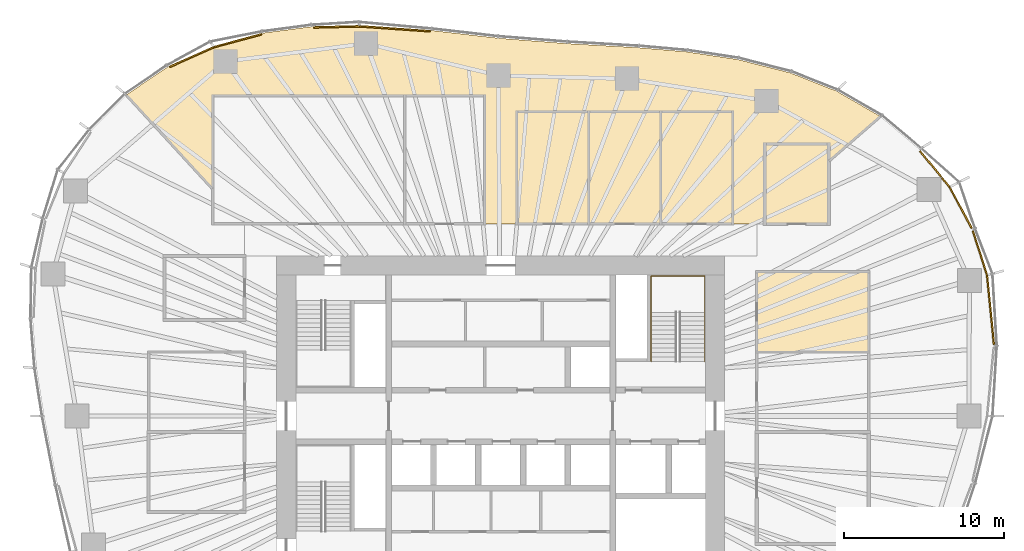
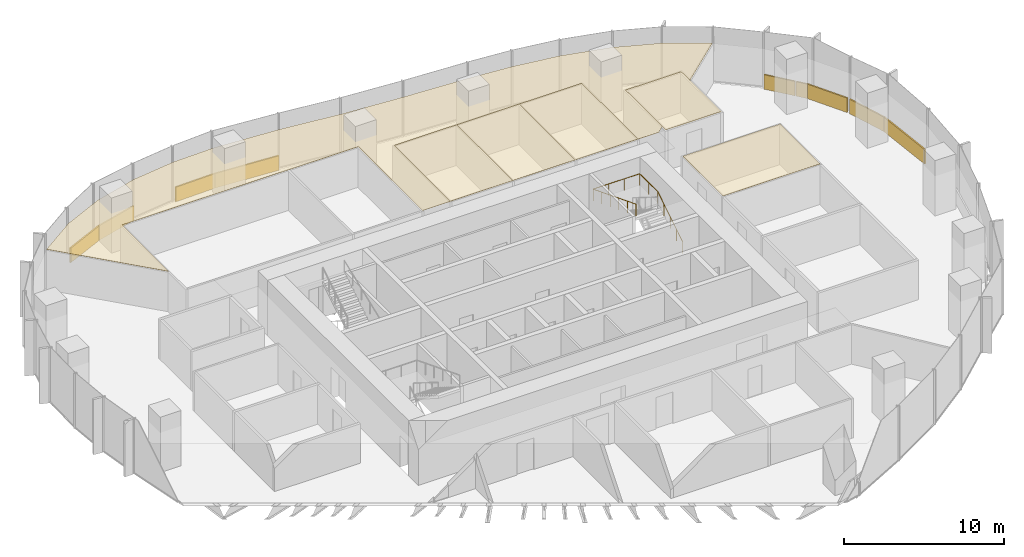
# One storey, part 18 of 18: 15 coverings, 1 railing.
"""IFC4 building model written with IfcOpenShell, lengths in metres."""

from ifc_helpers import new_model, si_unit, direction, frame, origin, origin_2d, place, context, subcontext, project, spatial, polyline, rectangle, circle, outline, extrude, material, layer, layer_set, type_object, element, save


model = new_model("IFC4")

# Units and contexts
model_context = context("Model", 3, precision=1e-05, world=origin(), true_north=direction((0.0, 1.0)))
body_context = subcontext(model_context, "Body", "Model", "MODEL_VIEW")
ifc_project = project(units=[si_unit("LENGTHUNIT", "METRE"), si_unit("AREAUNIT", "SQUARE_METRE"), si_unit("VOLUMEUNIT", "CUBIC_METRE"), si_unit("PLANEANGLEUNIT", "RADIAN"), si_unit("MASSUNIT", "GRAM", prefix="KILO")], contexts=[model_context])

# Site, building, storey
site_placement = place(None, origin())
site = spatial("IfcSite", under=ifc_project, at=site_placement, CompositionType="ELEMENT")
building_placement = place(site_placement, origin())
building = spatial("IfcBuilding", under=site, at=building_placement, Name="Ghaith Harvest Tower", CompositionType="ELEMENT")
storey_placement = place(building_placement, frame((0.0, 0.0, 121.800048828125)))
storey = spatial("IfcBuildingStorey", under=building, at=storey_placement, Name="L25", CompositionType="ELEMENT", Elevation=121.800048828125)

# Coverings
ifc_material_1 = material(Name="Mineral fibre ceiling tile", Category="gypsum")
ifc_layer_1 = layer(ifc_material_1, 0.02001953125)
ifc_layer_set_1 = layer_set([ifc_layer_1], Name="CEILING C1")
covering_type_1 = type_object("IfcCoveringType", Name="CEILING C1", PredefinedType="CEILING", material=ifc_layer_set_1)
covering_1_placement = place(storey_placement, frame((0.0, 0.0, 3.0)))
element("IfcCovering", 1, at=covering_1_placement, inside=storey, type_object=covering_type_1, Name="Ceiling L25-03", PredefinedType="CEILING", context=body_context, shape_type="SweptSolid", body=[
    extrude(outline(polyline([(1.0, 12.0), (5.5, 12.0), (5.5, 19.0), (1.0, 19.0), (1.0, 12.0)])), origin(), (0.0, 0.0, 1.0), 0.02001953125),
])
covering_2_placement = place(storey_placement, frame((0.0, 0.0, 3.0)))
element("IfcCovering", 2, at=covering_2_placement, inside=storey, type_object=covering_type_1, Name="Ceiling L25-04", PredefinedType="CEILING", context=body_context, shape_type="SweptSolid", body=[
    extrude(outline(polyline([(5.5, 12.0), (10.0, 12.0), (10.0, 19.0), (5.5, 19.0), (5.5, 12.0)])), origin(), (0.0, 0.0, 1.0), 0.02001953125),
])
covering_3_placement = place(storey_placement, frame((0.0, 0.0, 3.0)))
element("IfcCovering", 3, at=covering_3_placement, inside=storey, type_object=covering_type_1, Name="Ceiling L25-05", PredefinedType="CEILING", context=body_context, shape_type="SweptSolid", body=[
    extrude(outline(polyline([(10.0, 12.0), (14.5, 12.0), (14.5, 19.0), (10.0, 19.0), (10.0, 12.0)])), origin(), (0.0, 0.0, 1.0), 0.02001953125),
])
covering_4_placement = place(storey_placement, frame((0.0, 0.0, 3.0)))
element("IfcCovering", 4, at=covering_4_placement, inside=storey, type_object=covering_type_1, Name="Ceiling L25-12", PredefinedType="CEILING", context=body_context, shape_type="SweptSolid", body=[
    extrude(outline(polyline([(16.0, 4.0), (23.0, 4.0), (23.0, 9.0), (16.0, 9.0), (16.0, 4.0)])), origin(), (0.0, 0.0, 1.0), 0.02001953125),
])
covering_5_placement = place(storey_placement, frame((0.0, 0.0, 3.0)))
element("IfcCovering", 5, at=covering_5_placement, inside=storey, type_object=covering_type_1, Name="Ceiling L25-15", PredefinedType="CEILING", context=body_context, shape_type="SweptSolid", body=[
    extrude(outline(polyline([(16.5, 12.0), (20.5, 12.0), (20.5, 17.0), (16.5, 17.0), (16.5, 12.0)])), origin(), (0.0, 0.0, 1.0), 0.02001953125),
])
covering_6_placement = place(storey_placement, frame((0.0, 0.0, 3.0)))
element("IfcCovering", 6, at=covering_6_placement, inside=storey, type_object=covering_type_1, Name="Ceiling L25-N1", PredefinedType="CEILING", context=body_context, shape_type="SweptSolid", body=[
    extrude(outline(polyline([(-20.79248046875, 21.82470703125), (-17.938232421875, 23.097412109375), (-14.860595703125, 23.927978515625), (-11.788818359375, 24.331787109375), (-8.814208984375, 24.404541015625), (-4.302001953125, 24.089111328125), (-0.16162109375, 23.609619140625), (4.125732421875, 23.272705078125), (8.604736328125, 23.017333984375), (11.617919921875, 22.757080078125), (14.79833984375, 22.27978515625), (18.0849609375, 21.4462890625), (20.97998046875, 20.3056640625), (23.7275390625, 18.718017578125), (20.5, 15.912109375), (20.5, 17.0), (16.5, 17.0), (16.5, 12.434814453125), (16.0, 12.0), (14.5, 12.0), (14.5, 19.0), (1.0, 19.0), (1.0, 12.0), (-1.0, 12.0), (-1.0, 20.0), (-18.0, 20.0), (-18.0, 14.17919921875), (-23.398193359375, 20.06103515625), (-20.79248046875, 21.82470703125)])), origin(), (0.0, 0.0, 1.0), 0.02001953125),
])

# Railing
ifc_material_2 = material(Name="Steel, black powder-coated", Category="steel")
railing_type = type_object("IfcRailingType", Name="HANDRAIL HR1", PredefinedType="HANDRAIL", material=ifc_material_2)
railing_placement = place(storey_placement, frame((12.75, 3.39990234375, 0.175048828125)))
element("IfcRailing", 7, at=railing_placement, inside=storey, type_object=railing_type, Name="Handrail HR1 stair ST2 L25 wall side", PredefinedType="HANDRAIL", context=body_context, shape_type="SweptSolid", body=[
    extrude(circle(Radius=0.02392578125, at=origin_2d()), frame((0.0, 0.0, 0.8759765625), z_axis=(0.0, 0.848028513186, 0.529950602248), x_axis=(-1.0, 0.0, 0.0)), (0.0, 0.0, 1.0), 3.632080078125),
    extrude(circle(Radius=0.02392578125, at=origin_2d()), frame((0.0, 3.080078125, 2.80078125), z_axis=(0.0, 1.0, 0.0), x_axis=(-1.0, 0.0, 0.0)), (0.0, 0.0, 1.0), 2.27001953125),
    extrude(circle(Radius=0.02392578125, at=origin_2d()), frame((0.0, 5.35009765625, 2.80078125), z_axis=(-1.0, 0.0, 0.0), x_axis=(0.0, -1.0, 0.0)), (0.0, 0.0, 1.0), 3.35009765625),
    extrude(circle(Radius=0.02392578125, at=origin_2d()), frame((-3.35009765625, 5.35009765625, 2.80078125), z_axis=(0.0, -0.930853684876, 0.365392141887), x_axis=(1.0, 0.0, 0.0)), (0.0, 0.0, 1.0), 5.74755859375),
    extrude(circle(Radius=0.02099609375, at=origin_2d()), origin(), (0.0, 0.0, 1.0), 0.851806640625),
    extrude(circle(Radius=0.02099609375, at=origin_2d()), frame((0.0, 0.77001953125, 0.481201171875)), (0.0, 0.0, 1.0), 0.851806640625),
    extrude(circle(Radius=0.02099609375, at=origin_2d()), frame((0.0, 1.5400390625, 0.96240234375)), (0.0, 0.0, 1.0), 0.851806640625),
    extrude(circle(Radius=0.02099609375, at=origin_2d()), frame((0.0, 2.31005859375, 1.443603515625)), (0.0, 0.0, 1.0), 0.851806640625),
    extrude(circle(Radius=0.02099609375, at=origin_2d()), frame((0.0, 3.080078125, 1.9248046875)), (0.0, 0.0, 1.0), 0.851806640625),
    extrude(circle(Radius=0.02099609375, at=origin_2d()), frame((0.0, 4.215087890625, 1.9248046875)), (0.0, 0.0, 1.0), 0.851806640625),
    extrude(circle(Radius=0.02099609375, at=origin_2d()), frame((0.0, 5.35009765625, 1.9248046875)), (0.0, 0.0, 1.0), 0.851806640625),
    extrude(circle(Radius=0.02099609375, at=origin_2d()), frame((-1.11669921875, 5.35009765625, 1.9248046875)), (0.0, 0.0, 1.0), 0.851806640625),
    extrude(circle(Radius=0.02099609375, at=origin_2d()), frame((-2.2333984375, 5.35009765625, 1.9248046875)), (0.0, 0.0, 1.0), 0.851806640625),
    extrude(circle(Radius=0.02099609375, at=origin_2d()), frame((-3.35009765625, 5.35009765625, 1.9248046875)), (0.0, 0.0, 1.0), 0.851806640625),
    extrude(circle(Radius=0.02099609375, at=origin_2d()), frame((-3.35009765625, 4.280029296875, 2.3447265625)), (0.0, 0.0, 1.0), 0.851806640625),
    extrude(circle(Radius=0.02099609375, at=origin_2d()), frame((-3.35009765625, 3.2099609375, 2.764892578125)), (0.0, 0.0, 1.0), 0.851806640625),
    extrude(circle(Radius=0.02099609375, at=origin_2d()), frame((-3.35009765625, 2.14013671875, 3.184814453125)), (0.0, 0.0, 1.0), 0.851806640625),
    extrude(circle(Radius=0.02099609375, at=origin_2d()), frame((-3.35009765625, 1.070068359375, 3.60498046875)), (0.0, 0.0, 1.0), 0.851806640625),
    extrude(circle(Radius=0.02099609375, at=origin_2d()), frame((-3.35009765625, 0.0, 4.02490234375)), (0.0, 0.0, 1.0), 0.851806640625),
])

# Coverings
ifc_material_3 = material(Name="Insulated aluminium spandrel panel on steel framing", Category="steel")
ifc_layer_2 = layer(ifc_material_3, 0.10009765625)
ifc_layer_set_2 = layer_set([ifc_layer_2], Name="SLAB EDGE UPSTAND 1100x100")
covering_type_2 = type_object("IfcCoveringType", Name="SLAB EDGE UPSTAND 1100x100", PredefinedType="CLADDING", material=ifc_layer_set_2)
covering_7_placement = place(storey_placement, frame((30.604736328125, 6.630126953125, 0.0), z_axis=(0.0, 0.0, 1.0), x_axis=(-0.099131765681, 0.995074315332, 0.0)))
element("IfcCovering", 8, at=covering_7_placement, inside=storey, type_object=covering_type_2, Name="Slab edge upstand 2 bay 01 L25", PredefinedType="CLADDING", context=body_context, shape_type="SweptSolid", body=[
    extrude(rectangle(XDim=4.346435546875, YDim=0.10009765625, at=origin_2d()), origin(), (0.0, 0.0, 1.0), 1.10009765625),
])
covering_8_placement = place(storey_placement, frame((29.948486328125, 10.171875, 0.0), z_axis=(0.0, 0.0, 1.0), x_axis=(-0.303716894855, 0.952762324916, 0.0)))
element("IfcCovering", 9, at=covering_8_placement, inside=storey, type_object=covering_type_2, Name="Slab edge upstand 1 bay 02 L25", PredefinedType="CLADDING", context=body_context, shape_type="SweptSolid", body=[
    extrude(rectangle(XDim=2.916748046875, YDim=0.10009765625, at=origin_2d()), origin(), (0.0, 0.0, 1.0), 1.10009765625),
])
covering_9_placement = place(storey_placement, frame((28.738037109375, 13.018798828125, 0.0), z_axis=(0.0, 0.0, 1.0), x_axis=(-0.475408661811, 0.87976508471, 0.0)))
element("IfcCovering", 10, at=covering_9_placement, inside=storey, type_object=covering_type_2, Name="Slab edge upstand 2 bay 02 L25", PredefinedType="CLADDING", context=body_context, shape_type="SweptSolid", body=[
    extrude(rectangle(XDim=2.91650390625, YDim=0.10009765625, at=origin_2d()), origin(), (0.0, 0.0, 1.0), 1.10009765625),
])
covering_10_placement = place(storey_placement, frame((27.806396484375, 14.592041015625, 0.0), z_axis=(0.0, 0.0, 1.0), x_axis=(-0.632969558548, 0.774176683937, 0.0)))
element("IfcCovering", 11, at=covering_10_placement, inside=storey, type_object=covering_type_2, Name="Slab edge upstand 3 bay 02 L25", PredefinedType="CLADDING", context=body_context, shape_type="SweptSolid", body=[
    extrude(rectangle(XDim=0.77001953125, YDim=0.10009765625, at=origin_2d()), origin(), (0.0, 0.0, 1.0), 1.10009765625),
])
covering_11_placement = place(storey_placement, frame((26.863525390625, 15.7451171875, 0.0), z_axis=(0.0, 0.0, 1.0), x_axis=(-0.632969558548, 0.774176683937, 0.0)))
element("IfcCovering", 12, at=covering_11_placement, inside=storey, type_object=covering_type_2, Name="Slab edge upstand 3 bay 02 L25", PredefinedType="CLADDING", context=body_context, shape_type="SweptSolid", body=[
    extrude(rectangle(XDim=2.083740234375, YDim=0.10009765625, at=origin_2d()), origin(), (0.0, 0.0, 1.0), 1.10009765625),
])
covering_12_placement = place(storey_placement, frame((-6.611572265625, 24.200439453125, 0.0), z_axis=(0.0, 0.0, 1.0), x_axis=(-0.997566199698, 0.069725728542, 0.0)))
element("IfcCovering", 13, at=covering_12_placement, inside=storey, type_object=covering_type_2, Name="Slab edge upstand 2 bay 06 L25", PredefinedType="CLADDING", context=body_context, shape_type="SweptSolid", body=[
    extrude(rectangle(XDim=4.42333984375, YDim=0.10009765625, at=origin_2d()), origin(), (0.0, 0.0, 1.0), 1.10009765625),
])
covering_13_placement = place(storey_placement, frame((-10.25048828125, 24.3193359375, 0.0), z_axis=(0.0, 0.0, 1.0), x_axis=(-0.999700846757, -0.024458474865, 0.0)))
element("IfcCovering", 14, at=covering_13_placement, inside=storey, type_object=covering_type_2, Name="Slab edge upstand 1 bay 07 L25", PredefinedType="CLADDING", context=body_context, shape_type="SweptSolid", body=[
    extrude(rectangle(XDim=2.87548828125, YDim=0.10009765625, at=origin_2d()), origin(), (0.0, 0.0, 1.0), 1.10009765625),
])
covering_14_placement = place(storey_placement, frame((-16.4345703125, 23.451416015625, 0.0), z_axis=(0.0, 0.0, 1.0), x_axis=(-0.965455035926, -0.260569709685, 0.0)))
element("IfcCovering", 15, at=covering_14_placement, inside=storey, type_object=covering_type_2, Name="Slab edge upstand 3 bay 07 L25", PredefinedType="CLADDING", context=body_context, shape_type="SweptSolid", body=[
    extrude(rectangle(XDim=3.087890625, YDim=0.10009765625, at=origin_2d()), origin(), (0.0, 0.0, 1.0), 1.10009765625),
])
covering_15_placement = place(storey_placement, frame((-19.29931640625, 22.435791015625, 0.0), z_axis=(0.0, 0.0, 1.0), x_axis=(-0.913334621001, -0.40720986, 0.0)))
element("IfcCovering", 16, at=covering_15_placement, inside=storey, type_object=covering_type_2, Name="Slab edge upstand 1 bay 08 L25", PredefinedType="CLADDING", context=body_context, shape_type="SweptSolid", body=[
    extrude(rectangle(XDim=3.025146484375, YDim=0.10009765625, at=origin_2d()), origin(), (0.0, 0.0, 1.0), 1.10009765625),
])

save(model, "model.ifc")
